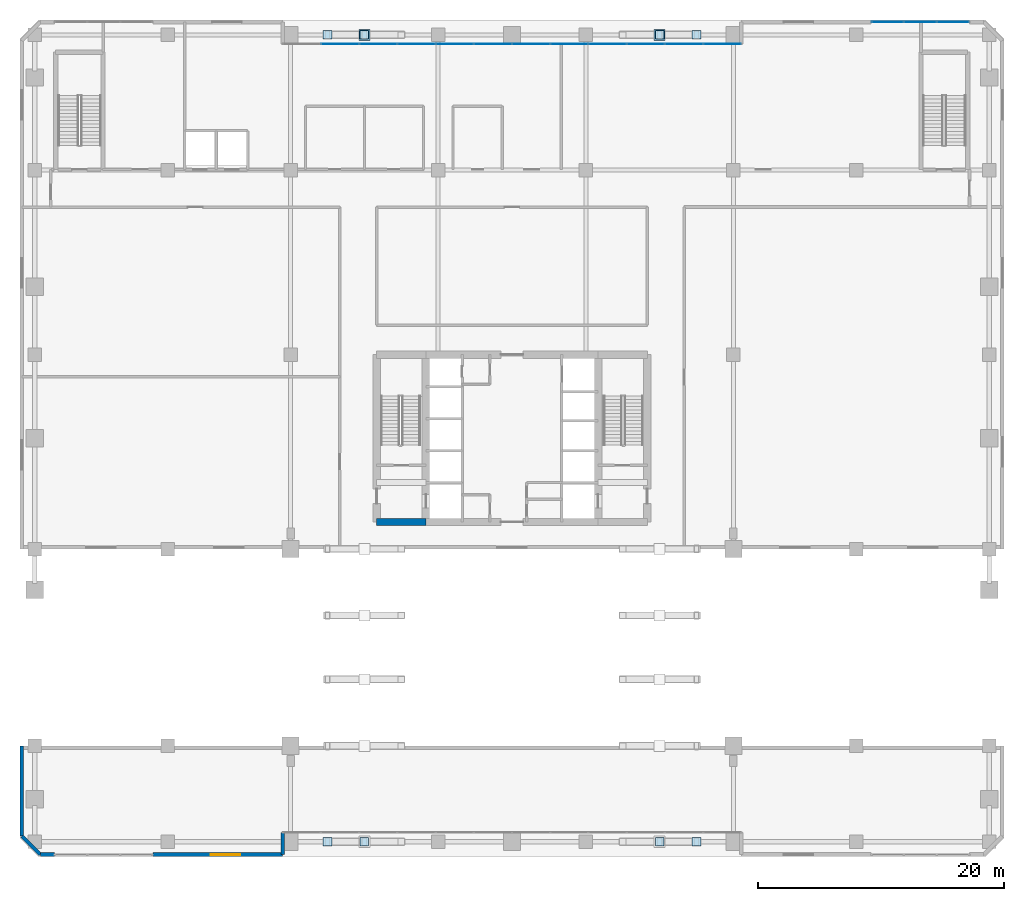
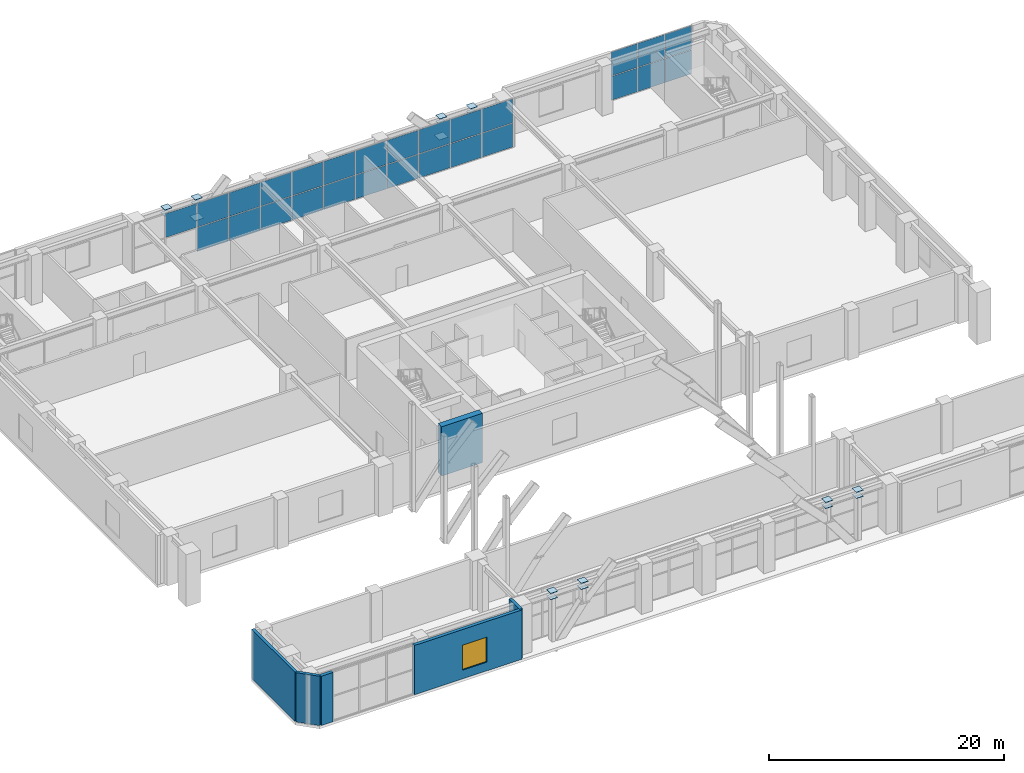
# One storey, part 20 of 28: 45 plates, 6 walls, 1 window, 1 opening, 2 elements without a shape of their own.
"""IFC4 building model written with IfcOpenShell, lengths in metres."""

from ifc_helpers import new_model, si_unit, direction, frame, frame_2d, origin, origin_2d, place, context, subcontext, project, spatial, rectangle, extrude, material, layer, layer_set, type_object, element, fill, aggregate, save


model = new_model("IFC4")

# Units and contexts
model_context = context("Model", 3, precision=1e-05, world=origin(), true_north=direction((0.0, 1.0)))
body_context = subcontext(model_context, "Body", "Model", "MODEL_VIEW")
ifc_project = project(units=[si_unit("LENGTHUNIT", "METRE"), si_unit("AREAUNIT", "SQUARE_METRE"), si_unit("VOLUMEUNIT", "CUBIC_METRE"), si_unit("PLANEANGLEUNIT", "RADIAN"), si_unit("MASSUNIT", "GRAM", prefix="KILO")], contexts=[model_context])

# Site, building, storey
site_placement = place(None, origin())
site = spatial("IfcSite", under=ifc_project, at=site_placement, CompositionType="ELEMENT")
building_placement = place(site_placement, origin())
building = spatial("IfcBuilding", under=site, at=building_placement, Name="Sarneth Arch Tower", CompositionType="ELEMENT")
storey_placement = place(building_placement, frame((0.0, 0.0, 6.0)))
storey = spatial("IfcBuildingStorey", under=building, at=storey_placement, Name="L01", CompositionType="ELEMENT", Elevation=6.0)

# Curtain wall, plates
ifc_material_1 = material(Name="Anodised aluminium Type AA25 and solar-control low-e laminated IGU", Category="aluminium")
ifc_layer_1 = layer(ifc_material_1, 0.199951171875)
ifc_layer_set_1 = layer_set([ifc_layer_1], Name="Anodised aluminium Type AA25 and solar-control low-e laminated IGU")
curtain_wall_type_1 = type_object("IfcCurtainWallType", Name="CW-ARCH-GLAZE", PredefinedType="NOTDEFINED", material=ifc_layer_set_1)
curtain_wall_1_placement = place(storey_placement, origin())
curtain_wall_1 = element("IfcCurtainWall", 1, at=curtain_wall_1_placement, inside=storey, type_object=curtain_wall_type_1, Name="L01 North parabolic arch portal curtain wall", PredefinedType="NOTDEFINED")
ifc_material_2 = material(Name="Solar-control low-e laminated IGU", Category="glass")
ifc_layer_2 = layer(ifc_material_2, 0.028076171875)
ifc_layer_set_2 = layer_set([ifc_layer_2], Name="Solar-control low-e laminated IGU")
plate_type_1 = type_object("IfcPlateType", Name="CW-PANEL", PredefinedType="CURTAIN_PANEL", material=ifc_layer_set_2)
plate_1_placement = place(storey_placement, frame((65.080810546875, 74.050048828125, 0.06005859375), z_axis=(0.0, 0.0, 1.0), x_axis=(-1.0, 0.0, 0.0)))
plate_1 = element("IfcPlate", 2, at=plate_1_placement, type_object=plate_type_1, Name="Curtain wall glazed vision pane CW-L01-N-ARCH/P00-00", PredefinedType="CURTAIN_PANEL", context=body_context, shape_type="SweptSolid", body=[
    extrude(rectangle(XDim=3.018310546875, YDim=0.028076171875, at=origin_2d()), origin(), (0.0, 0.0, 1.0), 2.469970703125),
])
plate_2_placement = place(storey_placement, frame((65.080810546875, 74.050048828125, 2.58984375), z_axis=(0.0, 0.0, 1.0), x_axis=(-1.0, 0.0, 0.0)))
plate_2 = element("IfcPlate", 3, at=plate_2_placement, type_object=plate_type_1, Name="Curtain wall glazed vision pane CW-L01-N-ARCH/P00-01", PredefinedType="CURTAIN_PANEL", context=body_context, shape_type="SweptSolid", body=[
    extrude(rectangle(XDim=3.018310546875, YDim=0.028076171875, at=origin_2d()), origin(), (0.0, 0.0, 1.0), 2.469970703125),
])
plate_3_placement = place(storey_placement, frame((61.987548828125, 74.050048828125, 0.06005859375), z_axis=(0.0, 0.0, 1.0), x_axis=(-1.0, 0.0, 0.0)))
plate_3 = element("IfcPlate", 4, at=plate_3_placement, type_object=plate_type_1, Name="Curtain wall glazed vision pane CW-L01-N-ARCH/P01-00", PredefinedType="CURTAIN_PANEL", context=body_context, shape_type="SweptSolid", body=[
    extrude(rectangle(XDim=3.04833984375, YDim=0.028076171875, at=origin_2d()), origin(), (0.0, 0.0, 1.0), 2.469970703125),
])
plate_4_placement = place(storey_placement, frame((61.987548828125, 74.050048828125, 2.58984375), z_axis=(0.0, 0.0, 1.0), x_axis=(-1.0, 0.0, 0.0)))
plate_4 = element("IfcPlate", 5, at=plate_4_placement, type_object=plate_type_1, Name="Curtain wall glazed vision pane CW-L01-N-ARCH/P01-01", PredefinedType="CURTAIN_PANEL", context=body_context, shape_type="SweptSolid", body=[
    extrude(rectangle(XDim=3.04833984375, YDim=0.028076171875, at=origin_2d()), origin(), (0.0, 0.0, 1.0), 2.469970703125),
])
plate_5_placement = place(storey_placement, frame((58.879150390625, 74.050048828125, 0.06005859375), z_axis=(0.0, 0.0, 1.0), x_axis=(-1.0, 0.0, 0.0)))
plate_5 = element("IfcPlate", 6, at=plate_5_placement, type_object=plate_type_1, Name="Curtain wall glazed vision pane CW-L01-N-ARCH/P02-00", PredefinedType="CURTAIN_PANEL", context=body_context, shape_type="SweptSolid", body=[
    extrude(rectangle(XDim=3.04833984375, YDim=0.028076171875, at=origin_2d()), origin(), (0.0, 0.0, 1.0), 2.469970703125),
])
plate_6_placement = place(storey_placement, frame((58.879150390625, 74.050048828125, 2.58984375), z_axis=(0.0, 0.0, 1.0), x_axis=(-1.0, 0.0, 0.0)))
plate_6 = element("IfcPlate", 7, at=plate_6_placement, type_object=plate_type_1, Name="Curtain wall glazed vision pane CW-L01-N-ARCH/P02-01", PredefinedType="CURTAIN_PANEL", context=body_context, shape_type="SweptSolid", body=[
    extrude(rectangle(XDim=3.04833984375, YDim=0.028076171875, at=origin_2d()), origin(), (0.0, 0.0, 1.0), 2.469970703125),
])
plate_7_placement = place(storey_placement, frame((55.770751953125, 74.050048828125, 0.06005859375), z_axis=(0.0, 0.0, 1.0), x_axis=(-1.0, 0.0, 0.0)))
plate_7 = element("IfcPlate", 8, at=plate_7_placement, type_object=plate_type_1, Name="Curtain wall glazed vision pane CW-L01-N-ARCH/P03-00", PredefinedType="CURTAIN_PANEL", context=body_context, shape_type="SweptSolid", body=[
    extrude(rectangle(XDim=3.04833984375, YDim=0.028076171875, at=origin_2d()), origin(), (0.0, 0.0, 1.0), 2.469970703125),
])
plate_8_placement = place(storey_placement, frame((55.770751953125, 74.050048828125, 2.58984375), z_axis=(0.0, 0.0, 1.0), x_axis=(-1.0, 0.0, 0.0)))
plate_8 = element("IfcPlate", 9, at=plate_8_placement, type_object=plate_type_1, Name="Curtain wall glazed vision pane CW-L01-N-ARCH/P03-01", PredefinedType="CURTAIN_PANEL", context=body_context, shape_type="SweptSolid", body=[
    extrude(rectangle(XDim=3.04833984375, YDim=0.028076171875, at=origin_2d()), origin(), (0.0, 0.0, 1.0), 2.469970703125),
])
plate_9_placement = place(storey_placement, frame((52.66259765625, 74.050048828125, 0.06005859375), z_axis=(0.0, 0.0, 1.0), x_axis=(-1.0, 0.0, 0.0)))
plate_9 = element("IfcPlate", 10, at=plate_9_placement, type_object=plate_type_1, Name="Curtain wall glazed vision pane CW-L01-N-ARCH/P04-00", PredefinedType="CURTAIN_PANEL", context=body_context, shape_type="SweptSolid", body=[
    extrude(rectangle(XDim=3.04833984375, YDim=0.028076171875, at=origin_2d()), origin(), (0.0, 0.0, 1.0), 2.469970703125),
])
plate_10_placement = place(storey_placement, frame((52.66259765625, 74.050048828125, 2.58984375), z_axis=(0.0, 0.0, 1.0), x_axis=(-1.0, 0.0, 0.0)))
plate_10 = element("IfcPlate", 11, at=plate_10_placement, type_object=plate_type_1, Name="Curtain wall glazed vision pane CW-L01-N-ARCH/P04-01", PredefinedType="CURTAIN_PANEL", context=body_context, shape_type="SweptSolid", body=[
    extrude(rectangle(XDim=3.04833984375, YDim=0.028076171875, at=origin_2d()), origin(), (0.0, 0.0, 1.0), 2.469970703125),
])
plate_11_placement = place(storey_placement, frame((49.55419921875, 74.050048828125, 0.06005859375), z_axis=(0.0, 0.0, 1.0), x_axis=(-1.0, 0.0, 0.0)))
plate_11 = element("IfcPlate", 12, at=plate_11_placement, type_object=plate_type_1, Name="Curtain wall glazed vision pane CW-L01-N-ARCH/P05-00", PredefinedType="CURTAIN_PANEL", context=body_context, shape_type="SweptSolid", body=[
    extrude(rectangle(XDim=3.04833984375, YDim=0.028076171875, at=origin_2d()), origin(), (0.0, 0.0, 1.0), 2.469970703125),
])
plate_12_placement = place(storey_placement, frame((49.55419921875, 74.050048828125, 2.58984375), z_axis=(0.0, 0.0, 1.0), x_axis=(-1.0, 0.0, 0.0)))
plate_12 = element("IfcPlate", 13, at=plate_12_placement, type_object=plate_type_1, Name="Curtain wall glazed vision pane CW-L01-N-ARCH/P05-01", PredefinedType="CURTAIN_PANEL", context=body_context, shape_type="SweptSolid", body=[
    extrude(rectangle(XDim=3.04833984375, YDim=0.028076171875, at=origin_2d()), origin(), (0.0, 0.0, 1.0), 2.469970703125),
])
plate_13_placement = place(storey_placement, frame((46.44580078125, 74.050048828125, 0.06005859375), z_axis=(0.0, 0.0, 1.0), x_axis=(-1.0, 0.0, 0.0)))
plate_13 = element("IfcPlate", 14, at=plate_13_placement, type_object=plate_type_1, Name="Curtain wall glazed vision pane CW-L01-N-ARCH/P06-00", PredefinedType="CURTAIN_PANEL", context=body_context, shape_type="SweptSolid", body=[
    extrude(rectangle(XDim=3.04833984375, YDim=0.028076171875, at=origin_2d()), origin(), (0.0, 0.0, 1.0), 2.469970703125),
])
plate_14_placement = place(storey_placement, frame((46.44580078125, 74.050048828125, 2.58984375), z_axis=(0.0, 0.0, 1.0), x_axis=(-1.0, 0.0, 0.0)))
plate_14 = element("IfcPlate", 15, at=plate_14_placement, type_object=plate_type_1, Name="Curtain wall glazed vision pane CW-L01-N-ARCH/P06-01", PredefinedType="CURTAIN_PANEL", context=body_context, shape_type="SweptSolid", body=[
    extrude(rectangle(XDim=3.04833984375, YDim=0.028076171875, at=origin_2d()), origin(), (0.0, 0.0, 1.0), 2.469970703125),
])
plate_15_placement = place(storey_placement, frame((43.33740234375, 74.050048828125, 0.06005859375), z_axis=(0.0, 0.0, 1.0), x_axis=(-1.0, 0.0, 0.0)))
plate_15 = element("IfcPlate", 16, at=plate_15_placement, type_object=plate_type_1, Name="Curtain wall glazed vision pane CW-L01-N-ARCH/P07-00", PredefinedType="CURTAIN_PANEL", context=body_context, shape_type="SweptSolid", body=[
    extrude(rectangle(XDim=3.04833984375, YDim=0.028076171875, at=origin_2d()), origin(), (0.0, 0.0, 1.0), 2.469970703125),
])
plate_16_placement = place(storey_placement, frame((43.33740234375, 74.050048828125, 2.58984375), z_axis=(0.0, 0.0, 1.0), x_axis=(-1.0, 0.0, 0.0)))
plate_16 = element("IfcPlate", 17, at=plate_16_placement, type_object=plate_type_1, Name="Curtain wall glazed vision pane CW-L01-N-ARCH/P07-01", PredefinedType="CURTAIN_PANEL", context=body_context, shape_type="SweptSolid", body=[
    extrude(rectangle(XDim=3.04833984375, YDim=0.028076171875, at=origin_2d()), origin(), (0.0, 0.0, 1.0), 2.469970703125),
])
plate_17_placement = place(storey_placement, frame((40.229248046875, 74.050048828125, 0.06005859375), z_axis=(0.0, 0.0, 1.0), x_axis=(-1.0, 0.0, 0.0)))
plate_17 = element("IfcPlate", 18, at=plate_17_placement, type_object=plate_type_1, Name="Curtain wall glazed vision pane CW-L01-N-ARCH/P08-00", PredefinedType="CURTAIN_PANEL", context=body_context, shape_type="SweptSolid", body=[
    extrude(rectangle(XDim=3.04833984375, YDim=0.028076171875, at=origin_2d()), origin(), (0.0, 0.0, 1.0), 2.469970703125),
])
plate_18_placement = place(storey_placement, frame((40.229248046875, 74.050048828125, 2.58984375), z_axis=(0.0, 0.0, 1.0), x_axis=(-1.0, 0.0, 0.0)))
plate_18 = element("IfcPlate", 19, at=plate_18_placement, type_object=plate_type_1, Name="Curtain wall glazed vision pane CW-L01-N-ARCH/P08-01", PredefinedType="CURTAIN_PANEL", context=body_context, shape_type="SweptSolid", body=[
    extrude(rectangle(XDim=3.04833984375, YDim=0.028076171875, at=origin_2d()), origin(), (0.0, 0.0, 1.0), 2.469970703125),
])
plate_19_placement = place(storey_placement, frame((37.120849609375, 74.050048828125, 0.06005859375), z_axis=(0.0, 0.0, 1.0), x_axis=(-1.0, 0.0, 0.0)))
plate_19 = element("IfcPlate", 20, at=plate_19_placement, type_object=plate_type_1, Name="Curtain wall glazed vision pane CW-L01-N-ARCH/P09-00", PredefinedType="CURTAIN_PANEL", context=body_context, shape_type="SweptSolid", body=[
    extrude(rectangle(XDim=3.04833984375, YDim=0.028076171875, at=origin_2d()), origin(), (0.0, 0.0, 1.0), 2.469970703125),
])
plate_20_placement = place(storey_placement, frame((37.120849609375, 74.050048828125, 2.58984375), z_axis=(0.0, 0.0, 1.0), x_axis=(-1.0, 0.0, 0.0)))
plate_20 = element("IfcPlate", 21, at=plate_20_placement, type_object=plate_type_1, Name="Curtain wall glazed vision pane CW-L01-N-ARCH/P09-01", PredefinedType="CURTAIN_PANEL", context=body_context, shape_type="SweptSolid", body=[
    extrude(rectangle(XDim=3.04833984375, YDim=0.028076171875, at=origin_2d()), origin(), (0.0, 0.0, 1.0), 2.469970703125),
])
plate_21_placement = place(storey_placement, frame((34.012451171875, 74.050048828125, 2.58984375), z_axis=(0.0, 0.0, 1.0), x_axis=(-1.0, 0.0, 0.0)))
plate_21 = element("IfcPlate", 22, at=plate_21_placement, type_object=plate_type_1, Name="Curtain wall glazed vision pane CW-L01-N-ARCH/P10-01", PredefinedType="CURTAIN_PANEL", context=body_context, shape_type="SweptSolid", body=[
    extrude(rectangle(XDim=3.04833984375, YDim=0.028076171875, at=origin_2d()), origin(), (0.0, 0.0, 1.0), 2.469970703125),
])
aggregate(curtain_wall_1, [plate_1, plate_2, plate_3, plate_4, plate_5, plate_6, plate_7, plate_8, plate_9, plate_10, plate_11, plate_12, plate_13, plate_14, plate_15, plate_16, plate_17, plate_18, plate_19, plate_20, plate_21])

ifc_material_3 = material(Name="Anodised aluminium Type AA25 and solar-control low-e laminated IGU", Category="aluminium")
ifc_layer_3 = layer(ifc_material_3, 0.179931640625)
ifc_layer_set_3 = layer_set([ifc_layer_3], Name="Anodised aluminium Type AA25 and solar-control low-e laminated IGU")
curtain_wall_type_2 = type_object("IfcCurtainWallType", Name="CW-PODIUM-CHAMF", PredefinedType="NOTDEFINED", material=ifc_layer_set_3)
curtain_wall_2_placement = place(storey_placement, origin())
curtain_wall_2 = element("IfcCurtainWall", 23, at=curtain_wall_2_placement, inside=storey, type_object=curtain_wall_type_2, Name="L01 Podium bay curtain wall NE", PredefinedType="NOTDEFINED")
plate_22_placement = place(storey_placement, frame((83.8515625, 75.85009765625, 0.06005859375), z_axis=(0.0, 0.0, 1.0), x_axis=(-1.0, 0.0, 0.0)))
plate_22 = element("IfcPlate", 24, at=plate_22_placement, type_object=plate_type_1, Name="Curtain wall glazed vision pane CW-L01-CORNER-NE/P00-00", PredefinedType="CURTAIN_PANEL", context=body_context, shape_type="SweptSolid", body=[
    extrude(rectangle(XDim=2.57666015625, YDim=0.028076171875, at=origin_2d()), origin(), (0.0, 0.0, 1.0), 2.469970703125),
])
plate_23_placement = place(storey_placement, frame((83.8515625, 75.85009765625, 2.58984375), z_axis=(0.0, 0.0, 1.0), x_axis=(-1.0, 0.0, 0.0)))
plate_23 = element("IfcPlate", 25, at=plate_23_placement, type_object=plate_type_1, Name="Curtain wall glazed vision pane CW-L01-CORNER-NE/P00-01", PredefinedType="CURTAIN_PANEL", context=body_context, shape_type="SweptSolid", body=[
    extrude(rectangle(XDim=2.57666015625, YDim=0.028076171875, at=origin_2d()), origin(), (0.0, 0.0, 1.0), 2.469970703125),
])
plate_24_placement = place(storey_placement, frame((81.199951171875, 75.85009765625, 0.06005859375), z_axis=(0.0, 0.0, 1.0), x_axis=(-1.0, 0.0, 0.0)))
plate_24 = element("IfcPlate", 26, at=plate_24_placement, type_object=plate_type_1, Name="Curtain wall glazed vision pane CW-L01-CORNER-NE/P01-00", PredefinedType="CURTAIN_PANEL", context=body_context, shape_type="SweptSolid", body=[
    extrude(rectangle(XDim=2.606689453125, YDim=0.028076171875, at=origin_2d()), origin(), (0.0, 0.0, 1.0), 2.469970703125),
])
plate_25_placement = place(storey_placement, frame((81.199951171875, 75.85009765625, 2.58984375), z_axis=(0.0, 0.0, 1.0), x_axis=(-1.0, 0.0, 0.0)))
plate_25 = element("IfcPlate", 27, at=plate_25_placement, type_object=plate_type_1, Name="Curtain wall glazed vision pane CW-L01-CORNER-NE/P01-01", PredefinedType="CURTAIN_PANEL", context=body_context, shape_type="SweptSolid", body=[
    extrude(rectangle(XDim=2.606689453125, YDim=0.028076171875, at=origin_2d()), origin(), (0.0, 0.0, 1.0), 2.469970703125),
])
plate_26_placement = place(storey_placement, frame((78.54833984375, 75.85009765625, 0.06005859375), z_axis=(0.0, 0.0, 1.0), x_axis=(-1.0, 0.0, 0.0)))
plate_26 = element("IfcPlate", 28, at=plate_26_placement, type_object=plate_type_1, Name="Curtain wall glazed vision pane CW-L01-CORNER-NE/P02-00", PredefinedType="CURTAIN_PANEL", context=body_context, shape_type="SweptSolid", body=[
    extrude(rectangle(XDim=2.57666015625, YDim=0.028076171875, at=origin_2d()), origin(), (0.0, 0.0, 1.0), 2.469970703125),
])
plate_27_placement = place(storey_placement, frame((78.54833984375, 75.85009765625, 2.58984375), z_axis=(0.0, 0.0, 1.0), x_axis=(-1.0, 0.0, 0.0)))
plate_27 = element("IfcPlate", 29, at=plate_27_placement, type_object=plate_type_1, Name="Curtain wall glazed vision pane CW-L01-CORNER-NE/P02-01", PredefinedType="CURTAIN_PANEL", context=body_context, shape_type="SweptSolid", body=[
    extrude(rectangle(XDim=2.57666015625, YDim=0.028076171875, at=origin_2d()), origin(), (0.0, 0.0, 1.0), 2.469970703125),
])
aggregate(curtain_wall_2, [plate_22, plate_23, plate_24, plate_25, plate_26, plate_27])

# Plates
ifc_material_4 = material(Name="Steel S355", Category="steel")
ifc_layer_4 = layer(ifc_material_4, 0.035888671875)
ifc_layer_set_4 = layer_set([ifc_layer_4], Name="Steel S355")
plate_type_2 = type_object("IfcPlateType", Name="PLT-GUSSET-30", PredefinedType="SHEET", material=ifc_layer_set_4)
for number, where, z_axis, x_axis, name in (
    (30, (33.0, 9.199951171875, 4.46728515625), (0.0, 0.0, 1.0), (1.0, 0.0, 0.0), "Steel end cap plate GP-1"),
    (31, (33.0, 9.199951171875, 5.10205078125), (0.0, 0.0, 1.0), (1.0, 0.0, 0.0), "Steel end cap plate GP-1"),
    (32, (36.0, 9.199951171875, 4.46728515625), (0.0, 0.0, 1.0), (1.0, 0.0, 0.0), "Steel end cap plate GP-1"),
    (33, (36.0, 9.199951171875, 5.10205078125), (0.0, 0.0, 1.0), (1.0, 0.0, 0.0), "Steel end cap plate GP-1"),
    (34, (60.0, 9.199951171875, 4.46728515625), (0.0, 0.0, 1.0), (1.0, 0.0, 0.0), "Steel end cap plate GP-1"),
    (35, (60.0, 9.199951171875, 5.10205078125), (0.0, 0.0, 1.0), (1.0, 0.0, 0.0), "Steel end cap plate GP-1"),
    (36, (63.0, 9.199951171875, 4.46728515625), (0.0, 0.0, 1.0), (1.0, 0.0, 0.0), "Steel end cap plate GP-1"),
    (37, (63.0, 9.199951171875, 5.10205078125), (0.0, 0.0, 1.0), (1.0, 0.0, 0.0), "Steel end cap plate GP-1"),
):
    element("IfcPlate", number, at=place(storey_placement, frame(where, z_axis=z_axis, x_axis=x_axis)), inside=storey, type_object=plate_type_2, Name=name, PredefinedType="SHEET", context=body_context, shape_type="SweptSolid", body=[
        extrude(rectangle(XDim=0.699951171875, YDim=0.699951171875, at=origin_2d()), origin(), (0.0, 0.0, 1.0), 0.035888671875),
    ])
plate_28_placement = place(storey_placement, frame((36.0, 74.800048828125, 3.0068359375), z_axis=(0.0, 0.0, 1.0), x_axis=(-1.0, 0.0, 0.0)))
element("IfcPlate", 38, at=plate_28_placement, inside=storey, type_object=plate_type_2, Name="Steel end cap plate GP-1", PredefinedType="SHEET", context=body_context, shape_type="SweptSolid", body=[
    extrude(rectangle(XDim=0.89990234375, YDim=0.89990234375, at=origin_2d()), origin(), (0.0, 0.0, 1.0), 0.035888671875),
])
for number, where, z_axis, x_axis, name in (
    (39, (33.0, 74.800048828125, 4.46728515625), (0.0, 0.0, 1.0), (1.0, 0.0, 0.0), "Steel end cap plate GP-1"),
    (40, (33.0, 74.800048828125, 5.10205078125), (0.0, 0.0, 1.0), (1.0, 0.0, 0.0), "Steel end cap plate GP-1"),
    (41, (36.0, 74.800048828125, 4.46728515625), (0.0, 0.0, 1.0), (1.0, 0.0, 0.0), "Steel end cap plate GP-1"),
    (42, (36.0, 74.800048828125, 5.10205078125), (0.0, 0.0, 1.0), (1.0, 0.0, 0.0), "Steel end cap plate GP-1"),
):
    element("IfcPlate", number, at=place(storey_placement, frame(where, z_axis=z_axis, x_axis=x_axis)), inside=storey, type_object=plate_type_2, Name=name, PredefinedType="SHEET", context=body_context, shape_type="SweptSolid", body=[
        extrude(rectangle(XDim=0.699951171875, YDim=0.699951171875, at=origin_2d()), origin(), (0.0, 0.0, 1.0), 0.035888671875),
    ])
plate_29_placement = place(storey_placement, frame((60.0, 74.800048828125, 3.0068359375), z_axis=(0.0, 0.0, 1.0), x_axis=(-1.0, 0.0, 0.0)))
element("IfcPlate", 43, at=plate_29_placement, inside=storey, type_object=plate_type_2, Name="Steel end cap plate GP-1", PredefinedType="SHEET", context=body_context, shape_type="SweptSolid", body=[
    extrude(rectangle(XDim=0.89990234375, YDim=0.89990234375, at=origin_2d()), origin(), (0.0, 0.0, 1.0), 0.035888671875),
])
for number, where, z_axis, x_axis, name in (
    (44, (60.0, 74.800048828125, 4.46728515625), (0.0, 0.0, 1.0), (1.0, 0.0, 0.0), "Steel end cap plate GP-1"),
    (45, (60.0, 74.800048828125, 5.10205078125), (0.0, 0.0, 1.0), (1.0, 0.0, 0.0), "Steel end cap plate GP-1"),
    (46, (63.0, 74.800048828125, 4.46728515625), (0.0, 0.0, 1.0), (1.0, 0.0, 0.0), "Steel end cap plate GP-1"),
    (47, (63.0, 74.800048828125, 5.10205078125), (0.0, 0.0, 1.0), (1.0, 0.0, 0.0), "Steel end cap plate GP-1"),
):
    element("IfcPlate", number, at=place(storey_placement, frame(where, z_axis=z_axis, x_axis=x_axis)), inside=storey, type_object=plate_type_2, Name=name, PredefinedType="SHEET", context=body_context, shape_type="SweptSolid", body=[
        extrude(rectangle(XDim=0.699951171875, YDim=0.699951171875, at=origin_2d()), origin(), (0.0, 0.0, 1.0), 0.035888671875),
    ])

# Walls
ifc_material_5 = material(Name="Concrete C60/75", Category="concrete")
ifc_layer_5 = layer(ifc_material_5, 0.60009765625)
ifc_layer_set_5 = layer_set([ifc_layer_5], Name="Concrete C60/75")
wall_type_1 = type_object("IfcWallType", Name="WALL-CORE-600", PredefinedType="SHEAR", material=ifc_layer_set_5)
wall_1_placement = place(storey_placement, frame((37.0, 35.199951171875, 0.0), z_axis=(0.0, 0.0, 1.0), x_axis=(1.0, 0.0, 0.0)))
element("IfcWall", 48, at=wall_1_placement, inside=storey, type_object=wall_type_1, Name="L01 Core shear wall S-W", PredefinedType="SHEAR", context=body_context, shape_type="SweptSolid", body=[
    extrude(rectangle(XDim=4.0, YDim=0.60009765625, at=frame_2d((2.0, 0.0))), origin(), (0.0, 0.0, 1.0), 5.1201171875),
])
ifc_material_6 = material(Name="Extruded terracotta rainscreen on Concrete C40/50 backing", Category="masonry")
ifc_layer_6 = layer(ifc_material_6, 0.280029296875)
ifc_layer_set_6 = layer_set([ifc_layer_6], Name="Extruded terracotta rainscreen on Concrete C40/50 backing")
wall_type_2 = type_object("IfcWallType", Name="WALL-EXT-TERRA-280", PredefinedType="SOLIDWALL", material=ifc_layer_set_6)
wall_2_placement = place(storey_placement, frame((29.35009765625, 8.14990234375, 0.0), z_axis=(0.0, 0.0, 1.0), x_axis=(0.0, 1.0, 0.0)))
element("IfcWall", 49, at=wall_2_placement, inside=storey, type_object=wall_type_2, Name="L01 South-west arch portal return", PredefinedType="SOLIDWALL", context=body_context, shape_type="SweptSolid", body=[
    extrude(rectangle(XDim=1.800048828125, YDim=0.280029296875, at=frame_2d((0.89990234375, 0.0))), origin(), (0.0, 0.0, 1.0), 5.1201171875),
])
wall_3_placement = place(storey_placement, frame((8.14990234375, 17.0, 0.0), z_axis=(0.0, 0.0, 1.0), x_axis=(0.0, -1.0, 0.0)))
element("IfcWall", 50, at=wall_3_placement, inside=storey, type_object=wall_type_2, Name="L01 West south wing wall", PredefinedType="SOLIDWALL", context=body_context, shape_type="SweptSolid", body=[
    extrude(rectangle(XDim=7.35009765625, YDim=0.280029296875, at=frame_2d((3.675048828125, 0.0))), origin(), (0.0, 0.0, 1.0), 5.1201171875),
])
wall_4_placement = place(storey_placement, frame((8.14990234375, 9.64990234375, 0.0), z_axis=(0.0, 0.0, 1.0), x_axis=(0.707106781187, -0.707106781187, 0.0)))
element("IfcWall", 51, at=wall_4_placement, inside=storey, type_object=wall_type_2, Name="L01 Podium chamfer terracotta wall SW", PredefinedType="SOLIDWALL", context=body_context, shape_type="SweptSolid", body=[
    extrude(rectangle(XDim=2.121337890625, YDim=0.280029296875, at=frame_2d((1.060546875, 0.0))), origin(), (0.0, 0.0, 1.0), 5.1201171875),
])
ifc_material_7 = material(Name="Extruded terracotta rainscreen on Concrete C40/50 backing", Category="masonry")
ifc_layer_7 = layer(ifc_material_7, 0.320068359375)
ifc_layer_set_7 = layer_set([ifc_layer_7], Name="Extruded terracotta rainscreen on Concrete C40/50 backing")
wall_type_3 = type_object("IfcWallType", Name="WALL-EXT-TERRA-320", PredefinedType="SOLIDWALL", material=ifc_layer_set_7)
wall_5_placement = place(storey_placement, frame((9.64990234375, 8.14990234375, 0.0), z_axis=(0.0, 0.0, 1.0), x_axis=(1.0, 0.0, 0.0)))
element("IfcWall", 52, at=wall_5_placement, inside=storey, type_object=wall_type_3, Name="L01 South-west pier", PredefinedType="SOLIDWALL", context=body_context, shape_type="SweptSolid", body=[
    extrude(rectangle(XDim=1.150146484375, YDim=0.320068359375, at=frame_2d((0.5751953125, 0.0))), origin(), (0.0, 0.0, 1.0), 5.1201171875),
])

# Wall, opening, window
wall_6_placement = place(storey_placement, frame((29.35009765625, 8.14990234375, 0.0), z_axis=(0.0, 0.0, 1.0), x_axis=(-1.0, 0.0, 0.0)))
wall_6 = element("IfcWall", 53, at=wall_6_placement, inside=storey, type_object=wall_type_3, Name="L01 South-west podium wing wall", PredefinedType="SOLIDWALL", context=body_context, shape_type="SweptSolid", body=[
    extrude(rectangle(XDim=10.550048828125, YDim=0.320068359375, at=frame_2d((5.27490234375, 0.0))), origin(), (0.0, 0.0, 1.0), 5.1201171875),
])
opening_placement = place(wall_6_placement, frame((3.449951171875, 0.0, 0.89990234375)))
opening = element("IfcOpeningElement", 54, at=opening_placement, cuts=wall_6, Name="Opening W-02", PredefinedType="OPENING", context=body_context, shape_type="SweptSolid", body=[
    extrude(rectangle(XDim=2.39990234375, YDim=2.60009765625, at=frame_2d((1.199951171875, 1.300048828125))), frame((0.0, 0.169921875, 0.0), z_axis=(0.0, -1.0, 0.0), x_axis=(1.0, 0.0, 0.0)), (0.0, 0.0, 1.0), 0.340087890625),
])
ifc_material_8 = material(Name="Thermally broken Aluminium 6063-T6 and low-e laminated IGU", Category="aluminium")
window_type = type_object("IfcWindowType", Name="WIN-POD-2400x2600", PartitioningType="DOUBLE_PANEL_VERTICAL", PredefinedType="WINDOW", material=ifc_material_8)
window_placement = place(opening_placement, origin())
window = element("IfcWindow", 55, at=window_placement, inside=storey, type_object=window_type, Name="L01 South wing window 1.1", OverallHeight=2.60009765625, OverallWidth=2.39990234375, PartitioningType="SINGLE_PANEL", PredefinedType="WINDOW", context=body_context, shape_type="SweptSolid", body=[
    extrude(rectangle(XDim=2.39990234375, YDim=2.60009765625, at=frame_2d((1.199951171875, 1.300048828125))), frame((0.0, 0.030029296875, 0.0), z_axis=(0.0, -1.0, 0.0), x_axis=(1.0, 0.0, 0.0)), (0.0, 0.0, 1.0), 0.06005859375),
])
fill(opening, window)

save(model, "model.ifc")
